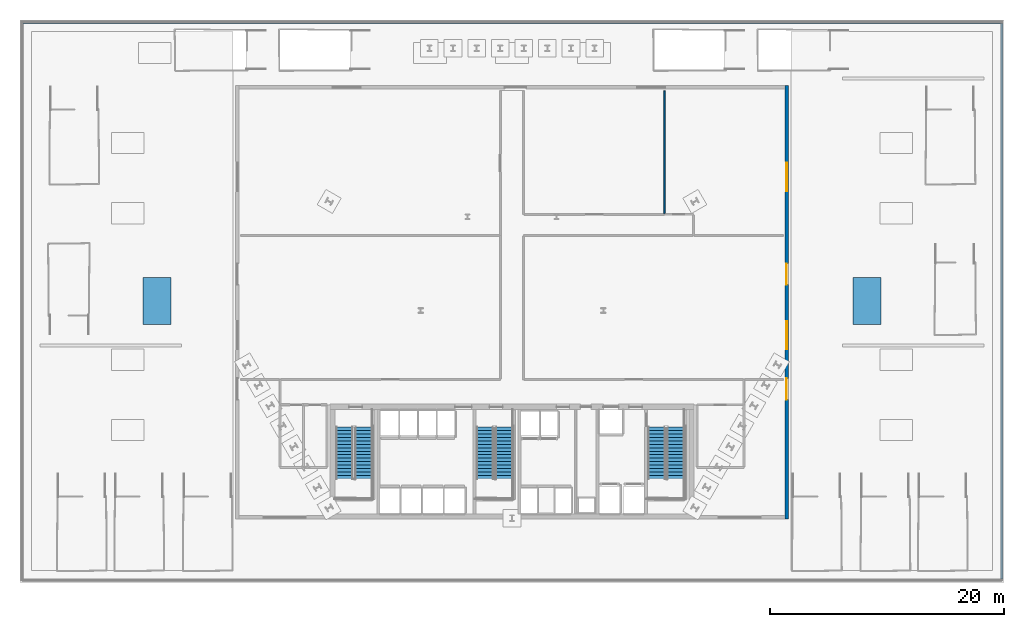
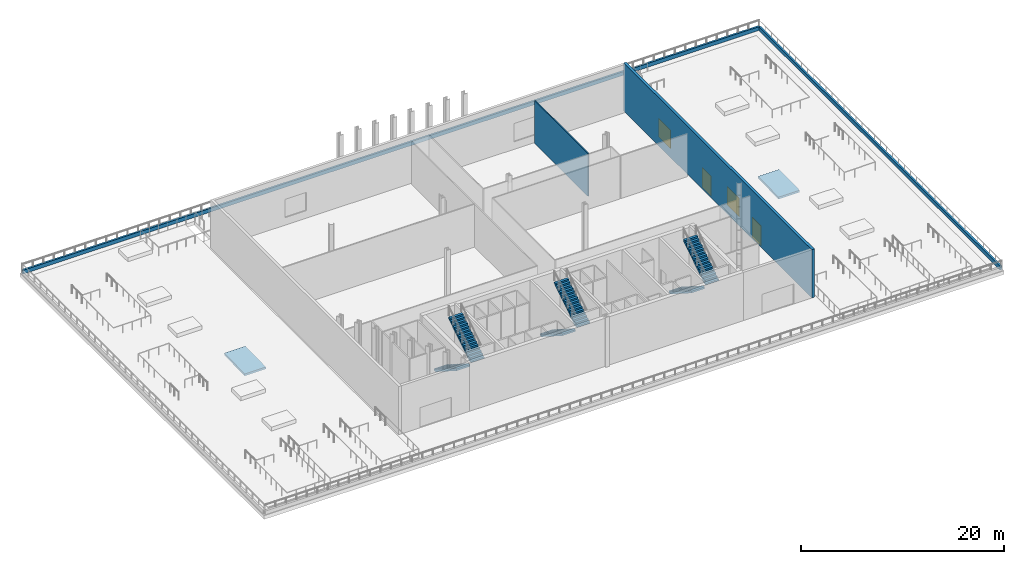
# One storey, part 7 of 13: 6 stair flights, 4 walls, 2 doors, 2 ramp flights, 2 windows, 4 openings, 5 elements without a shape of their own.
"""IFC4 building model written with IfcOpenShell, lengths in metres."""

from ifc_helpers import new_model, si_unit, direction, frame, frame_2d, origin, place, context, subcontext, project, spatial, polyline, rectangle, outline, extrude, material, layer, layer_set, type_object, element, fill, aggregate, save


model = new_model("IFC4")

# Units and contexts
model_context = context("Model", 3, precision=1e-05, world=origin(), true_north=direction((0.0, 1.0)))
body_context = subcontext(model_context, "Body", "Model", "MODEL_VIEW")
ifc_project = project(units=[si_unit("LENGTHUNIT", "METRE"), si_unit("AREAUNIT", "SQUARE_METRE"), si_unit("VOLUMEUNIT", "CUBIC_METRE"), si_unit("PLANEANGLEUNIT", "RADIAN"), si_unit("MASSUNIT", "GRAM", prefix="KILO")], contexts=[model_context])

# Site, building, storey
site_placement = place(None, origin())
site = spatial("IfcSite", under=ifc_project, at=site_placement, CompositionType="ELEMENT")
building_placement = place(site_placement, origin())
building = spatial("IfcBuilding", under=site, at=building_placement, Name="Ndaravel Arena Tower", CompositionType="ELEMENT")
storey_placement = place(building_placement, frame((0.0, 0.0, 30.0)))
storey = spatial("IfcBuildingStorey", under=building, at=storey_placement, Name="L05", CompositionType="ELEMENT", Elevation=30.0)

# Walls
ifc_material_1 = material(Name="Masonry", Category="masonry")
ifc_layer_1 = layer(ifc_material_1, 0.219970703125)
ifc_layer_set_1 = layer_set([ifc_layer_1], Name="Masonry")
wall_type_1 = type_object("IfcWallType", Name="WALL-PARAPET-220", PredefinedType="PARAPET", material=ifc_layer_set_1)
wall_1_placement = place(storey_placement, frame((83.820068359375, 0.294921875, 0.0), z_axis=(0.0, 0.0, 1.0), x_axis=(0.0, 1.0, 0.0)))
element("IfcWall", 1, at=wall_1_placement, inside=storey, type_object=wall_type_1, Name="L05 Garden Mazeras Upstand 2", PredefinedType="PARAPET", context=body_context, shape_type="SweptSolid", body=[
    extrude(rectangle(XDim=47.41015625, YDim=0.219970703125, at=frame_2d((23.705078125, 0.0))), origin(), (0.0, 0.0, 1.0), 0.449951171875),
])
wall_2_placement = place(storey_placement, frame((83.820068359375, 47.820068359375, 0.0), z_axis=(0.0, 0.0, 1.0), x_axis=(-1.0, 0.0, 0.0)))
element("IfcWall", 2, at=wall_2_placement, inside=storey, type_object=wall_type_1, Name="L05 Garden Mazeras Upstand 3", PredefinedType="PARAPET", context=body_context, shape_type="SweptSolid", body=[
    extrude(rectangle(XDim=83.64013671875, YDim=0.219970703125, at=frame_2d((41.820068359375, 0.0))), origin(), (0.0, 0.0, 1.0), 0.449951171875),
])
ifc_material_2 = material(Name="Gypsum", Category="gypsum")
ifc_layer_2 = layer(ifc_material_2, 0.125)
ifc_layer_set_2 = layer_set([ifc_layer_2], Name="Gypsum")
wall_type_2 = type_object("IfcWallType", Name="WALL-PART-125", PredefinedType="PARTITIONING", material=ifc_layer_set_2)
wall_3_placement = place(storey_placement, frame((55.0, 41.949951171875, 0.0), z_axis=(0.0, 0.0, 1.0), x_axis=(0.0, -1.0, 0.0)))
element("IfcWall", 3, at=wall_3_placement, inside=storey, type_object=wall_type_2, Name="L05 Interior Partition 020", PredefinedType="PARTITIONING", context=body_context, shape_type="SweptSolid", body=[
    extrude(rectangle(XDim=10.48486328125, YDim=0.125, at=frame_2d((5.242431640625, 0.0))), origin(), (0.0, 0.0, 1.0), 5.1328125),
])

# Wall, openings, doors, windows
ifc_material_3 = material(Name="Masonry", Category="masonry")
ifc_layer_3 = layer(ifc_material_3, 0.300048828125)
ifc_layer_set_3 = layer_set([ifc_layer_3], Name="Masonry")
wall_type_3 = type_object("IfcWallType", Name="WALL-POD-MAZERAS-300", PredefinedType="SOLIDWALL", material=ifc_layer_set_3)
wall_4_placement = place(storey_placement, frame((65.449951171875, 5.39990234375, 0.0), z_axis=(0.0, 0.0, 1.0), x_axis=(0.0, 1.0, 0.0)))
wall_4 = element("IfcWall", 4, at=wall_4_placement, inside=storey, type_object=wall_type_3, Name="L05 Garden Pavilion East Wall", PredefinedType="SOLIDWALL", context=body_context, shape_type="SweptSolid", body=[
    extrude(rectangle(XDim=37.0, YDim=0.300048828125, at=frame_2d((18.5, 0.0))), origin(), (0.0, 0.0, 1.0), 5.780029296875),
])
opening_1_placement = place(wall_4_placement, frame((10.199951171875, 0.0, 0.0)))
opening_1 = element("IfcOpeningElement", 5, at=opening_1_placement, cuts=wall_4, Name="Opening ED-03", PredefinedType="OPENING", context=body_context, shape_type="SweptSolid", body=[
    extrude(rectangle(XDim=1.800048828125, YDim=2.39990234375, at=frame_2d((0.89990234375, 1.199951171875))), frame((0.0, 0.14990234375, 0.0), z_axis=(0.0, -1.0, 0.0), x_axis=(1.0, 0.0, 0.0)), (0.0, 0.0, 1.0), 0.300048828125),
])
opening_2_placement = place(wall_4_placement, frame((20.0, 0.0, 0.0)))
opening_2 = element("IfcOpeningElement", 6, at=opening_2_placement, cuts=wall_4, Name="Opening ED-03", PredefinedType="OPENING", context=body_context, shape_type="SweptSolid", body=[
    extrude(rectangle(XDim=1.800048828125, YDim=2.39990234375, at=frame_2d((0.89990234375, 1.199951171875))), frame((0.0, 0.14990234375, 0.0), z_axis=(0.0, -1.0, 0.0), x_axis=(1.0, 0.0, 0.0)), (0.0, 0.0, 1.0), 0.300048828125),
])
opening_3_placement = place(wall_4_placement, frame((14.5, 0.0, 0.89990234375)))
opening_3 = element("IfcOpeningElement", 7, at=opening_3_placement, cuts=wall_4, Name="Opening W-PD1", PredefinedType="OPENING", context=body_context, shape_type="SweptSolid", body=[
    extrude(rectangle(XDim=2.39990234375, YDim=2.199951171875, at=frame_2d((1.199951171875, 1.10009765625))), frame((0.0, 0.14990234375, 0.0), z_axis=(0.0, -1.0, 0.0), x_axis=(1.0, 0.0, 0.0)), (0.0, 0.0, 1.0), 0.300048828125),
])
opening_4_placement = place(wall_4_placement, frame((28.0, 0.0, 0.89990234375)))
opening_4 = element("IfcOpeningElement", 8, at=opening_4_placement, cuts=wall_4, Name="Opening W-PD1", PredefinedType="OPENING", context=body_context, shape_type="SweptSolid", body=[
    extrude(rectangle(XDim=2.39990234375, YDim=2.199951171875, at=frame_2d((1.199951171875, 1.10009765625))), frame((0.0, 0.14990234375, 0.0), z_axis=(0.0, -1.0, 0.0), x_axis=(1.0, 0.0, 0.0)), (0.0, 0.0, 1.0), 0.300048828125),
])
ifc_material_4 = material(Name="Aluminium", Category="aluminium")
door_type = type_object("IfcDoorType", Name="ED-TERR-1800", OperationType="DOUBLE_DOOR_SINGLE_SWING", PredefinedType="DOOR", material=ifc_material_4)
door_1_placement = place(opening_1_placement, origin())
door_1 = element("IfcDoor", 9, at=door_1_placement, inside=storey, type_object=door_type, Name="L05 East Garden Terrace Concourse Door", OperationType="DOUBLE_DOOR_SINGLE_SWING", OverallHeight=2.39990234375, OverallWidth=1.800048828125, PredefinedType="DOOR", context=body_context, shape_type="SweptSolid", body=[
    extrude(rectangle(XDim=1.800048828125, YDim=2.39990234375, at=frame_2d((0.89990234375, 1.199951171875))), frame((0.0, 0.02490234375, 0.0), z_axis=(0.0, -1.0, 0.0), x_axis=(1.0, 0.0, 0.0)), (0.0, 0.0, 1.0), 0.050048828125),
])
fill(opening_1, door_1)
door_2_placement = place(opening_2_placement, origin())
door_2 = element("IfcDoor", 10, at=door_2_placement, inside=storey, type_object=door_type, Name="L05 East Exhibition Terrace Door", OperationType="DOUBLE_DOOR_SINGLE_SWING", OverallHeight=2.39990234375, OverallWidth=1.800048828125, PredefinedType="DOOR", context=body_context, shape_type="SweptSolid", body=[
    extrude(rectangle(XDim=1.800048828125, YDim=2.39990234375, at=frame_2d((0.89990234375, 1.199951171875))), frame((0.0, 0.02490234375, 0.0), z_axis=(0.0, -1.0, 0.0), x_axis=(1.0, 0.0, 0.0)), (0.0, 0.0, 1.0), 0.050048828125),
])
fill(opening_2, door_2)
ifc_material_5 = material(Name="Glazing", Category="glass")
window_type = type_object("IfcWindowType", Name="WIN-POD-2400", PartitioningType="SINGLE_PANEL", PredefinedType="WINDOW", material=ifc_material_5)
window_1_placement = place(opening_3_placement, origin())
window_1 = element("IfcWindow", 11, at=window_1_placement, inside=storey, type_object=window_type, Name="L05 Garden Pavilion Window 03", OverallHeight=2.199951171875, OverallWidth=2.39990234375, PartitioningType="SINGLE_PANEL", PredefinedType="WINDOW", context=body_context, shape_type="SweptSolid", body=[
    extrude(rectangle(XDim=2.39990234375, YDim=2.199951171875, at=frame_2d((1.199951171875, 1.10009765625))), frame((0.0, 0.030029296875, 0.0), z_axis=(0.0, -1.0, 0.0), x_axis=(1.0, 0.0, 0.0)), (0.0, 0.0, 1.0), 0.06005859375),
])
fill(opening_3, window_1)
window_2_placement = place(opening_4_placement, origin())
window_2 = element("IfcWindow", 12, at=window_2_placement, inside=storey, type_object=window_type, Name="L05 Garden Pavilion Window 04", OverallHeight=2.199951171875, OverallWidth=2.39990234375, PartitioningType="SINGLE_PANEL", PredefinedType="WINDOW", context=body_context, shape_type="SweptSolid", body=[
    extrude(rectangle(XDim=2.39990234375, YDim=2.199951171875, at=frame_2d((1.199951171875, 1.10009765625))), frame((0.0, 0.030029296875, 0.0), z_axis=(0.0, -1.0, 0.0), x_axis=(1.0, 0.0, 0.0)), (0.0, 0.0, 1.0), 0.06005859375),
])
fill(opening_4, window_2)

# Stair, stair flights
ifc_material_6 = material(Name="Concrete C40/50", Category="concrete")
stair_type = type_object("IfcStairType", Name="STAIR-CORE-HT", PredefinedType="HALF_TURN_STAIR", material=ifc_material_6)
stair_1_placement = place(storey_placement, origin())
stair_1 = element("IfcStair", 13, at=stair_1_placement, inside=storey, type_object=stair_type, Name="L05 ST-1", PredefinedType="HALF_TURN_STAIR")
ifc_material_7 = material(Name="Concrete C40/50", Category="concrete")
stair_flight_type = type_object("IfcStairFlightType", Name="SFLIGHT-CORE-1680", PredefinedType="STRAIGHT", material=ifc_material_7)
stair_flight_1_placement = place(storey_placement, frame((27.699951171875, 13.25, 0.0), z_axis=(0.0, 0.0, 1.0), x_axis=(0.0, -1.0, 0.0)))
stair_flight_1 = element("IfcStairFlight", 14, at=stair_flight_1_placement, type_object=stair_flight_type, Name="ST-1 flight 1", NumberOfRisers=16, NumberOfTreads=15, PredefinedType="STRAIGHT", RiserHeight=0.1875, TreadLength=0.295, context=body_context, shape_type="SweptSolid", body=[
    extrude(outline(polyline([(0.0, 0.0), (0.0, 0.1875), (0.294921875, 0.1875), (0.294921875, 0.375), (0.590087890625, 0.375), (0.590087890625, 0.5625), (0.885009765625, 0.5625), (0.885009765625, 0.75), (1.179931640625, 0.75), (1.179931640625, 0.9375), (1.47509765625, 0.9375), (1.47509765625, 1.125), (1.77001953125, 1.125), (1.77001953125, 1.3125), (2.06494140625, 1.3125), (2.06494140625, 1.5), (2.360107421875, 1.5), (2.360107421875, 1.6875), (2.655029296875, 1.6875), (2.655029296875, 1.875), (2.949951171875, 1.875), (2.949951171875, 2.0625), (3.2451171875, 2.0625), (3.2451171875, 2.25), (3.5400390625, 2.25), (3.5400390625, 2.4375), (3.8349609375, 2.4375), (3.8349609375, 2.625), (4.1298828125, 2.625), (4.1298828125, 2.8125), (4.425048828125, 2.8125), (4.425048828125, 3.0), (4.425048828125, 2.599365234375), (0.33544921875, 0.0), (0.0, 0.0)])), frame((0.0, 0.75, 0.0), z_axis=(0.0, -1.0, 0.0), x_axis=(1.0, 0.0, 0.0)), (0.0, 0.0, 1.0), 1.5),
])
stair_flight_2_placement = place(storey_placement, frame((29.340087890625, 8.824951171875, 3.0), z_axis=(0.0, 0.0, 1.0), x_axis=(0.0, 1.0, 0.0)))
stair_flight_2 = element("IfcStairFlight", 15, at=stair_flight_2_placement, type_object=stair_flight_type, Name="ST-1 flight 2", NumberOfRisers=16, NumberOfTreads=15, PredefinedType="STRAIGHT", RiserHeight=0.1875, TreadLength=0.295, context=body_context, shape_type="SweptSolid", body=[
    extrude(outline(polyline([(0.0, 0.0), (0.0, 0.1875), (0.294921875, 0.1875), (0.294921875, 0.375), (0.590087890625, 0.375), (0.590087890625, 0.5625), (0.885009765625, 0.5625), (0.885009765625, 0.75), (1.179931640625, 0.75), (1.179931640625, 0.9375), (1.47509765625, 0.9375), (1.47509765625, 1.125), (1.77001953125, 1.125), (1.77001953125, 1.3125), (2.06494140625, 1.3125), (2.06494140625, 1.5), (2.360107421875, 1.5), (2.360107421875, 1.6875), (2.655029296875, 1.6875), (2.655029296875, 1.875), (2.949951171875, 1.875), (2.949951171875, 2.0625), (3.2451171875, 2.0625), (3.2451171875, 2.25), (3.5400390625, 2.25), (3.5400390625, 2.4375), (3.8349609375, 2.4375), (3.8349609375, 2.625), (4.1298828125, 2.625), (4.1298828125, 2.8125), (4.425048828125, 2.8125), (4.425048828125, 3.0), (4.425048828125, 2.599365234375), (0.33544921875, 0.0), (0.0, 0.0)])), frame((0.0, 0.75, 0.0), z_axis=(0.0, -1.0, 0.0), x_axis=(1.0, 0.0, 0.0)), (0.0, 0.0, 1.0), 1.5),
])
aggregate(stair_1, [stair_flight_1, stair_flight_2])

stair_2_placement = place(storey_placement, origin())
stair_2 = element("IfcStair", 16, at=stair_2_placement, inside=storey, type_object=stair_type, Name="L05 ST-2", PredefinedType="HALF_TURN_STAIR")
stair_flight_3_placement = place(storey_placement, frame((39.699951171875, 13.25, 0.0), z_axis=(0.0, 0.0, 1.0), x_axis=(0.0, -1.0, 0.0)))
stair_flight_3 = element("IfcStairFlight", 17, at=stair_flight_3_placement, type_object=stair_flight_type, Name="ST-2 flight 1", NumberOfRisers=16, NumberOfTreads=15, PredefinedType="STRAIGHT", RiserHeight=0.1875, TreadLength=0.295, context=body_context, shape_type="SweptSolid", body=[
    extrude(outline(polyline([(0.0, 0.0), (0.0, 0.1875), (0.294921875, 0.1875), (0.294921875, 0.375), (0.590087890625, 0.375), (0.590087890625, 0.5625), (0.885009765625, 0.5625), (0.885009765625, 0.75), (1.179931640625, 0.75), (1.179931640625, 0.9375), (1.47509765625, 0.9375), (1.47509765625, 1.125), (1.77001953125, 1.125), (1.77001953125, 1.3125), (2.06494140625, 1.3125), (2.06494140625, 1.5), (2.360107421875, 1.5), (2.360107421875, 1.6875), (2.655029296875, 1.6875), (2.655029296875, 1.875), (2.949951171875, 1.875), (2.949951171875, 2.0625), (3.2451171875, 2.0625), (3.2451171875, 2.25), (3.5400390625, 2.25), (3.5400390625, 2.4375), (3.8349609375, 2.4375), (3.8349609375, 2.625), (4.1298828125, 2.625), (4.1298828125, 2.8125), (4.425048828125, 2.8125), (4.425048828125, 3.0), (4.425048828125, 2.599365234375), (0.33544921875, 0.0), (0.0, 0.0)])), frame((0.0, 0.75, 0.0), z_axis=(0.0, -1.0, 0.0), x_axis=(1.0, 0.0, 0.0)), (0.0, 0.0, 1.0), 1.5),
])
stair_flight_4_placement = place(storey_placement, frame((41.340087890625, 8.824951171875, 3.0), z_axis=(0.0, 0.0, 1.0), x_axis=(0.0, 1.0, 0.0)))
stair_flight_4 = element("IfcStairFlight", 18, at=stair_flight_4_placement, type_object=stair_flight_type, Name="ST-2 flight 2", NumberOfRisers=16, NumberOfTreads=15, PredefinedType="STRAIGHT", RiserHeight=0.1875, TreadLength=0.295, context=body_context, shape_type="SweptSolid", body=[
    extrude(outline(polyline([(0.0, 0.0), (0.0, 0.1875), (0.294921875, 0.1875), (0.294921875, 0.375), (0.590087890625, 0.375), (0.590087890625, 0.5625), (0.885009765625, 0.5625), (0.885009765625, 0.75), (1.179931640625, 0.75), (1.179931640625, 0.9375), (1.47509765625, 0.9375), (1.47509765625, 1.125), (1.77001953125, 1.125), (1.77001953125, 1.3125), (2.06494140625, 1.3125), (2.06494140625, 1.5), (2.360107421875, 1.5), (2.360107421875, 1.6875), (2.655029296875, 1.6875), (2.655029296875, 1.875), (2.949951171875, 1.875), (2.949951171875, 2.0625), (3.2451171875, 2.0625), (3.2451171875, 2.25), (3.5400390625, 2.25), (3.5400390625, 2.4375), (3.8349609375, 2.4375), (3.8349609375, 2.625), (4.1298828125, 2.625), (4.1298828125, 2.8125), (4.425048828125, 2.8125), (4.425048828125, 3.0), (4.425048828125, 2.599365234375), (0.33544921875, 0.0), (0.0, 0.0)])), frame((0.0, 0.75, 0.0), z_axis=(0.0, -1.0, 0.0), x_axis=(1.0, 0.0, 0.0)), (0.0, 0.0, 1.0), 1.5),
])
aggregate(stair_2, [stair_flight_3, stair_flight_4])

stair_3_placement = place(storey_placement, origin())
stair_3 = element("IfcStair", 19, at=stair_3_placement, inside=storey, type_object=stair_type, Name="L05 ST-3", PredefinedType="HALF_TURN_STAIR")
stair_flight_5_placement = place(storey_placement, frame((54.35009765625, 13.25, 0.0), z_axis=(0.0, 0.0, 1.0), x_axis=(0.0, -1.0, 0.0)))
stair_flight_5 = element("IfcStairFlight", 20, at=stair_flight_5_placement, type_object=stair_flight_type, Name="ST-3 flight 1", NumberOfRisers=16, NumberOfTreads=15, PredefinedType="STRAIGHT", RiserHeight=0.1875, TreadLength=0.295, context=body_context, shape_type="SweptSolid", body=[
    extrude(outline(polyline([(0.0, 0.0), (0.0, 0.1875), (0.294921875, 0.1875), (0.294921875, 0.375), (0.590087890625, 0.375), (0.590087890625, 0.5625), (0.885009765625, 0.5625), (0.885009765625, 0.75), (1.179931640625, 0.75), (1.179931640625, 0.9375), (1.47509765625, 0.9375), (1.47509765625, 1.125), (1.77001953125, 1.125), (1.77001953125, 1.3125), (2.06494140625, 1.3125), (2.06494140625, 1.5), (2.360107421875, 1.5), (2.360107421875, 1.6875), (2.655029296875, 1.6875), (2.655029296875, 1.875), (2.949951171875, 1.875), (2.949951171875, 2.0625), (3.2451171875, 2.0625), (3.2451171875, 2.25), (3.5400390625, 2.25), (3.5400390625, 2.4375), (3.8349609375, 2.4375), (3.8349609375, 2.625), (4.1298828125, 2.625), (4.1298828125, 2.8125), (4.425048828125, 2.8125), (4.425048828125, 3.0), (4.425048828125, 2.599365234375), (0.33544921875, 0.0), (0.0, 0.0)])), frame((0.0, 0.75, 0.0), z_axis=(0.0, -1.0, 0.0), x_axis=(1.0, 0.0, 0.0)), (0.0, 0.0, 1.0), 1.5),
])
stair_flight_6_placement = place(storey_placement, frame((55.989990234375, 8.824951171875, 3.0), z_axis=(0.0, 0.0, 1.0), x_axis=(0.0, 1.0, 0.0)))
stair_flight_6 = element("IfcStairFlight", 21, at=stair_flight_6_placement, type_object=stair_flight_type, Name="ST-3 flight 2", NumberOfRisers=16, NumberOfTreads=15, PredefinedType="STRAIGHT", RiserHeight=0.1875, TreadLength=0.295, context=body_context, shape_type="SweptSolid", body=[
    extrude(outline(polyline([(0.0, 0.0), (0.0, 0.1875), (0.294921875, 0.1875), (0.294921875, 0.375), (0.590087890625, 0.375), (0.590087890625, 0.5625), (0.885009765625, 0.5625), (0.885009765625, 0.75), (1.179931640625, 0.75), (1.179931640625, 0.9375), (1.47509765625, 0.9375), (1.47509765625, 1.125), (1.77001953125, 1.125), (1.77001953125, 1.3125), (2.06494140625, 1.3125), (2.06494140625, 1.5), (2.360107421875, 1.5), (2.360107421875, 1.6875), (2.655029296875, 1.6875), (2.655029296875, 1.875), (2.949951171875, 1.875), (2.949951171875, 2.0625), (3.2451171875, 2.0625), (3.2451171875, 2.25), (3.5400390625, 2.25), (3.5400390625, 2.4375), (3.8349609375, 2.4375), (3.8349609375, 2.625), (4.1298828125, 2.625), (4.1298828125, 2.8125), (4.425048828125, 2.8125), (4.425048828125, 3.0), (4.425048828125, 2.599365234375), (0.33544921875, 0.0), (0.0, 0.0)])), frame((0.0, 0.75, 0.0), z_axis=(0.0, -1.0, 0.0), x_axis=(1.0, 0.0, 0.0)), (0.0, 0.0, 1.0), 1.5),
])
aggregate(stair_3, [stair_flight_5, stair_flight_6])

# Ramp, ramp flight
ifc_material_8 = material(Name="Concrete C40/50", Category="concrete")
ramp_type = type_object("IfcRampType", Name="RAMP-PED-1", PredefinedType="STRAIGHT_RUN_RAMP", material=ifc_material_8)
ramp_1_placement = place(storey_placement, origin())
ramp_1 = element("IfcRamp", 22, at=ramp_1_placement, inside=storey, type_object=ramp_type, Name="L05 West Garden Terrace Accessible Ramp", PredefinedType="STRAIGHT_RUN_RAMP")
ifc_material_9 = material(Name="Concrete C40/50", Category="concrete")
ifc_layer_4 = layer(ifc_material_9, 0.25)
ifc_layer_set_4 = layer_set([ifc_layer_4], Name="Concrete C40/50")
ramp_flight_type = type_object("IfcRampFlightType", Name="RFLIGHT-PED-250", PredefinedType="STRAIGHT", material=ifc_layer_set_4)
ramp_flight_1_placement = place(storey_placement, frame((10.5, 22.0, 0.0), z_axis=(0.0, -0.020015520725, 0.999799669399), x_axis=(1.0, 0.0, 0.0)))
ramp_flight_1 = element("IfcRampFlight", 23, at=ramp_flight_1_placement, type_object=ramp_flight_type, Name="L05 West Garden Terrace Accessible Ramp Flight", PredefinedType="STRAIGHT", context=body_context, shape_type="SweptSolid", body=[
    extrude(outline(polyline([(0.0, 0.0), (2.39990234375, 0.0), (2.39990234375, 4.000801482966071), (0.0, 4.000801482966071), (0.0, 0.0)])), origin(), (0.0, 0.0, -1.0), 0.25),
])
aggregate(ramp_1, [ramp_flight_1])

ramp_2_placement = place(storey_placement, origin())
ramp_2 = element("IfcRamp", 24, at=ramp_2_placement, inside=storey, type_object=ramp_type, Name="L05 East Garden Terrace Accessible Ramp", PredefinedType="STRAIGHT_RUN_RAMP")
ramp_flight_2_placement = place(storey_placement, frame((71.10009765625, 22.0, 0.0), z_axis=(0.0, -0.020015520725, 0.999799669399), x_axis=(1.0, 0.0, 0.0)))
ramp_flight_2 = element("IfcRampFlight", 25, at=ramp_flight_2_placement, type_object=ramp_flight_type, Name="L05 East Garden Terrace Accessible Ramp Flight", PredefinedType="STRAIGHT", context=body_context, shape_type="SweptSolid", body=[
    extrude(outline(polyline([(0.0, 0.0), (2.39990234375, 0.0), (2.39990234375, 4.000801482966071), (0.0, 4.000801482966071), (0.0, 0.0)])), origin(), (0.0, 0.0, -1.0), 0.25),
])
aggregate(ramp_2, [ramp_flight_2])

save(model, "model.ifc")
